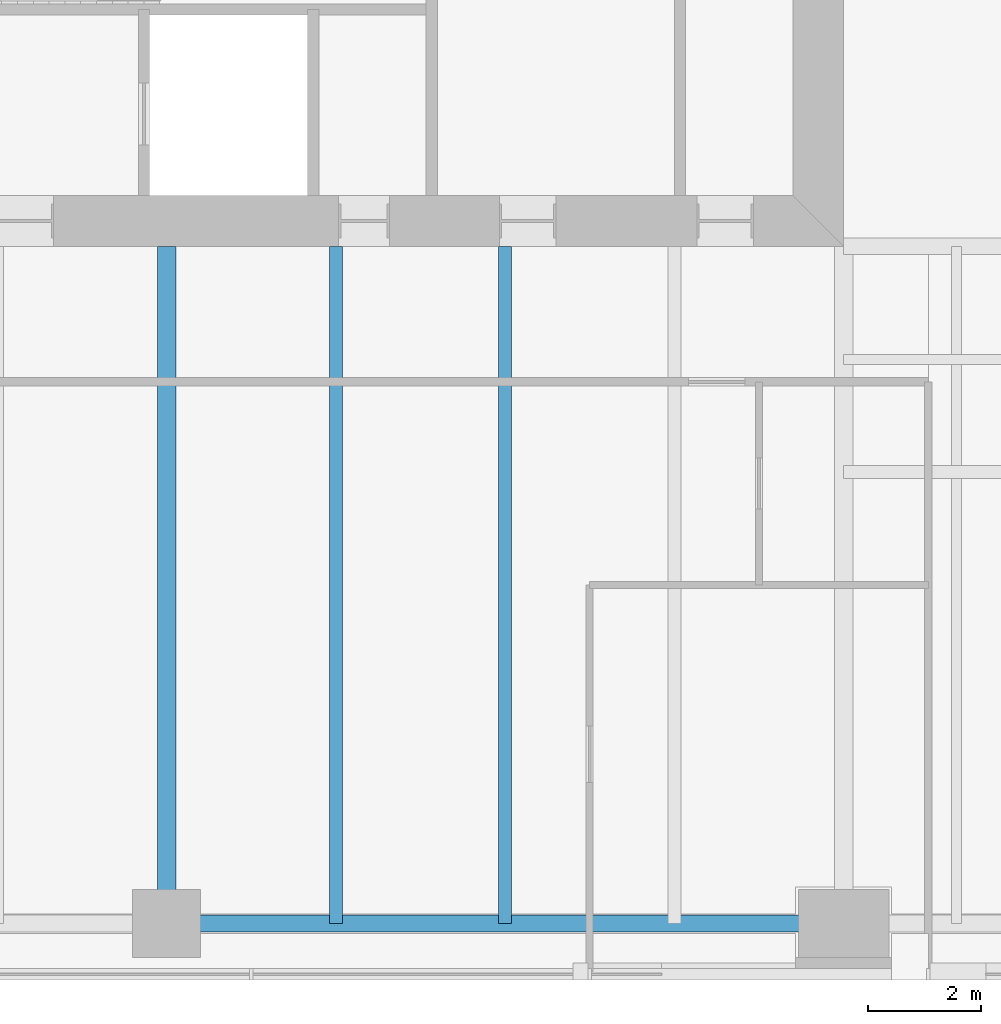
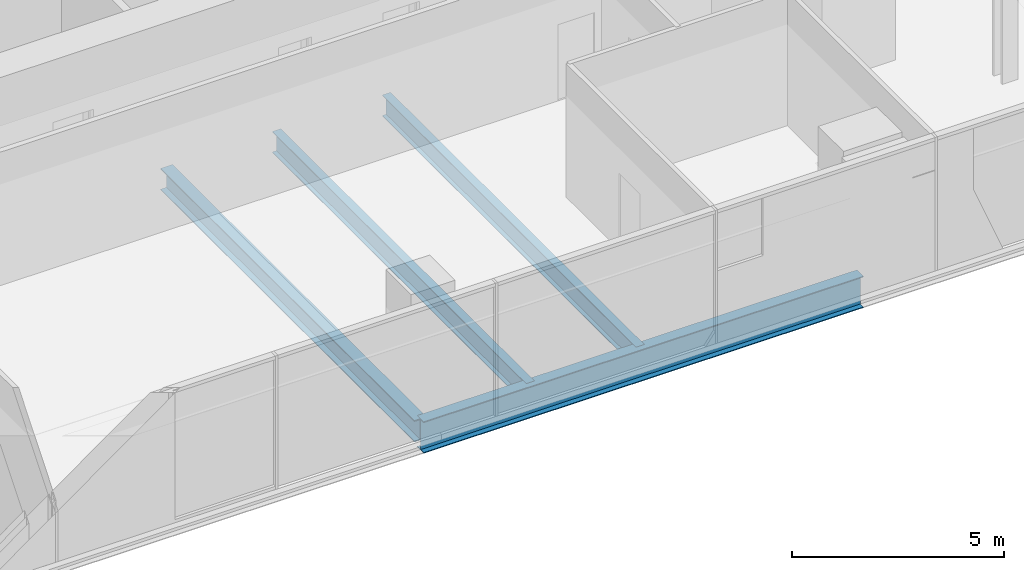
# One storey, part 3 of 14: 4 beams.
"""IFC4 building model written with IfcOpenShell, lengths in metres."""

from ifc_helpers import new_model, si_unit, direction, frame, origin, origin_2d, place, context, subcontext, project, spatial, i_section, extrude, material, material_profile, profile_set, type_object, element, save


model = new_model("IFC4")

# Units and contexts
model_context = context("Model", 3, precision=1e-05, world=origin(), true_north=direction((0.0, 1.0)))
body_context = subcontext(model_context, "Body", "Model", "MODEL_VIEW")
ifc_project = project(units=[si_unit("LENGTHUNIT", "METRE"), si_unit("AREAUNIT", "SQUARE_METRE"), si_unit("VOLUMEUNIT", "CUBIC_METRE"), si_unit("PLANEANGLEUNIT", "RADIAN"), si_unit("MASSUNIT", "GRAM", prefix="KILO")], contexts=[model_context])

# Site, building, storey
site_placement = place(None, origin())
site = spatial("IfcSite", under=ifc_project, at=site_placement, CompositionType="ELEMENT")
building_placement = place(site_placement, origin())
building = spatial("IfcBuilding", under=site, at=building_placement, Name="Fenwick Lantern Interchange", CompositionType="ELEMENT")
storey_placement = place(building_placement, frame((0.0, 0.0, 197.800048828125)))
storey = spatial("IfcBuildingStorey", under=building, at=storey_placement, Name="L46", CompositionType="ELEMENT", Elevation=197.800048828125)

# Beams
ifc_material = material(Name="Steel ASTM A992 Grade 50", Category="steel")
ifc_material_profile_1 = material_profile(ifc_material, i_section(OverallWidth=0.3046875, OverallDepth=0.911865234375, WebThickness=0.015869140625, FlangeThickness=0.02392578125, at=origin_2d()), Name="W36X150")
ifc_profile_set_1 = profile_set([ifc_material_profile_1], Name="Steel ASTM A992 Grade 50")
beam_type_1 = type_object("IfcBeamType", Name="EDGE BEAM W36X150", PredefinedType="SPANDREL", material=ifc_profile_set_1)
beam_1_placement = place(storey_placement, frame((25.0, 1.0, -0.60595703125), z_axis=(1.0, 0.0, 0.0), x_axis=(0.0, 1.0, 0.0)))
element("IfcBeam", 1, at=beam_1_placement, inside=storey, type_object=beam_type_1, Name="L46/FR/S/EB3", PredefinedType="SPANDREL", context=body_context, shape_type="SweptSolid", body=[
    extrude(i_section(OverallWidth=0.3046875, OverallDepth=0.911865234375, WebThickness=0.015869140625, FlangeThickness=0.02392578125, at=origin_2d()), origin(), (0.0, 0.0, 1.0), 12.0),
])
ifc_material_profile_2 = material_profile(ifc_material, i_section(OverallWidth=0.22900390625, OverallDepth=0.612060546875, WebThickness=0.011962890625, FlangeThickness=0.01953125, at=origin_2d()), Name="W24X84")
ifc_profile_set_2 = profile_set([ifc_material_profile_2], Name="Steel ASTM A992 Grade 50")
beam_type_2 = type_object("IfcBeamType", Name="FLOOR BEAM W24X84", PredefinedType="BEAM", material=ifc_profile_set_2)
for number, where, z_axis, x_axis, name in (
    (2, (28.0, 1.0, -0.4560546875), (0.0, 1.0, 0.0), (-1.0, 0.0, 0.0), "L46/FR/S/R06"),
    (3, (31.0, 1.0, -0.4560546875), (0.0, 1.0, 0.0), (-1.0, 0.0, 0.0), "L46/FR/S/R07"),
):
    element("IfcBeam", number, at=place(storey_placement, frame(where, z_axis=z_axis, x_axis=x_axis)), inside=storey, type_object=beam_type_2, Name=name, PredefinedType="BEAM", context=body_context, shape_type="SweptSolid", body=[
        extrude(i_section(OverallWidth=0.22900390625, OverallDepth=0.612060546875, WebThickness=0.011962890625, FlangeThickness=0.01953125, at=origin_2d()), origin(), (0.0, 0.0, 1.0), 12.0),
    ])
ifc_material_profile_3 = material_profile(ifc_material, i_section(OverallWidth=0.32763671875, OverallDepth=0.622314453125, WebThickness=0.015380859375, FlangeThickness=0.0244140625, at=origin_2d()), Name="W24X131")
ifc_profile_set_3 = profile_set([ifc_material_profile_3], Name="Steel ASTM A992 Grade 50")
beam_type_3 = type_object("IfcBeamType", Name="MOMENT-CONNECTED GIRDER W24X131", PredefinedType="BEAM", material=ifc_profile_set_3)
beam_2_placement = place(storey_placement, frame((25.0, 1.0, -0.461181640625), z_axis=(0.0, 1.0, 0.0), x_axis=(-1.0, 0.0, 0.0)))
element("IfcBeam", 4, at=beam_2_placement, inside=storey, type_object=beam_type_3, Name="L46/FR/S/R05", PredefinedType="BEAM", context=body_context, shape_type="SweptSolid", body=[
    extrude(i_section(OverallWidth=0.32763671875, OverallDepth=0.622314453125, WebThickness=0.015380859375, FlangeThickness=0.0244140625, at=origin_2d()), origin(), (0.0, 0.0, 1.0), 12.0),
])

save(model, "model.ifc")
